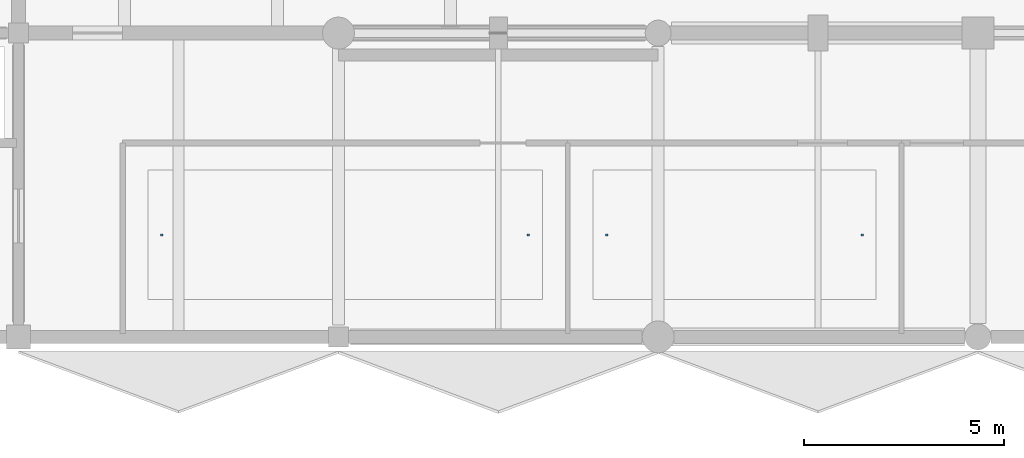
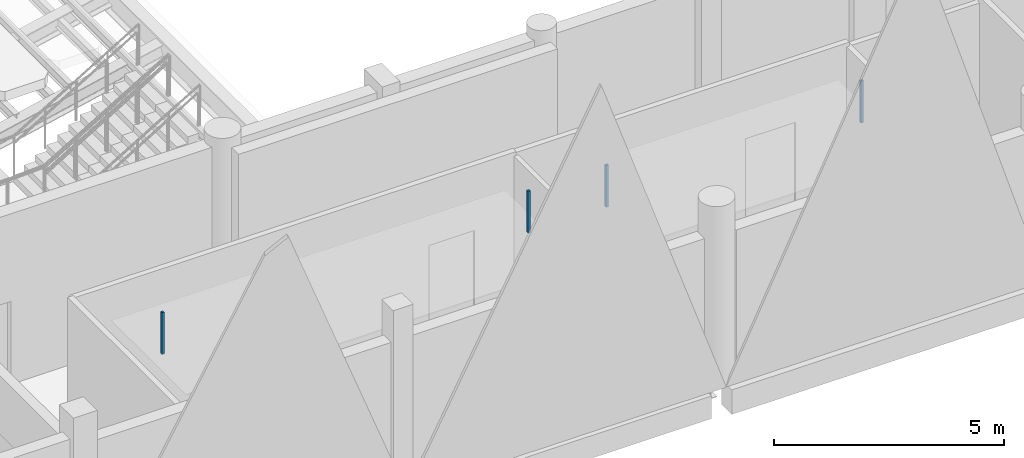
# One storey, part 99 of 141: 4 discrete accessories.
"""IFC4 building model written with IfcOpenShell, lengths in metres."""

from ifc_helpers import new_model, si_unit, direction, frame, origin, origin_2d, place, context, subcontext, project, spatial, rectangle, extrude, material, type_object, element, save


model = new_model("IFC4")

# Units and contexts
model_context = context("Model", 3, precision=1e-05, world=origin(), true_north=direction((0.0, 1.0)))
body_context = subcontext(model_context, "Body", "Model", "MODEL_VIEW")
ifc_project = project(units=[si_unit("LENGTHUNIT", "METRE"), si_unit("AREAUNIT", "SQUARE_METRE"), si_unit("VOLUMEUNIT", "CUBIC_METRE"), si_unit("PLANEANGLEUNIT", "RADIAN"), si_unit("MASSUNIT", "GRAM", prefix="KILO")], contexts=[model_context])

# Site, building, storey
site_placement = place(None, origin())
site = spatial("IfcSite", under=ifc_project, at=site_placement, CompositionType="ELEMENT")
building_placement = place(site_placement, origin())
building = spatial("IfcBuilding", under=site, at=building_placement, Name="Khelvaren Railside Concert Hall", CompositionType="ELEMENT")
storey_placement = place(building_placement, frame((0.0, 0.0, 10.199951171875)))
storey = spatial("IfcBuildingStorey", under=building, at=storey_placement, Name="L02", CompositionType="ELEMENT", Elevation=10.199951171875)

# Discrete accessories
ifc_material = material(Name="Galvanised steel acoustic ceiling hanger rod", Category="steel")
discrete_accessory_type = type_object("IfcDiscreteAccessoryType", Name="BRK62", PredefinedType="BRACKET", material=ifc_material)
for number, where, z_axis, x_axis, name in (
    (1, (11.580078125, 2.550048828125, 3.43017578125), (0.0, 0.0, 1.0), (1.0, 0.0, 0.0), "Acoustic Ceiling Suspension Bracket 21-1"),
    (2, (20.75390625, 2.550048828125, 3.43017578125), (0.0, 0.0, 1.0), (1.0, 0.0, 0.0), "Acoustic Ceiling Suspension Bracket 21-2"),
    (3, (22.714111328125, 2.550048828125, 3.43017578125), (0.0, 0.0, 1.0), (1.0, 0.0, 0.0), "Acoustic Ceiling Suspension Bracket 22-1"),
    (4, (29.10498046875, 2.550048828125, 3.43017578125), (0.0, 0.0, 1.0), (1.0, 0.0, 0.0), "Acoustic Ceiling Suspension Bracket 22-2"),
):
    element("IfcDiscreteAccessory", number, at=place(storey_placement, frame(where, z_axis=z_axis, x_axis=x_axis)), inside=storey, type_object=discrete_accessory_type, Name=name, PredefinedType="BRACKET", context=body_context, shape_type="SweptSolid", body=[
        extrude(rectangle(XDim=0.06005859375, YDim=0.06005859375, at=origin_2d()), origin(), (0.0, 0.0, 1.0), 1.110107421875),
    ])

save(model, "model.ifc")
